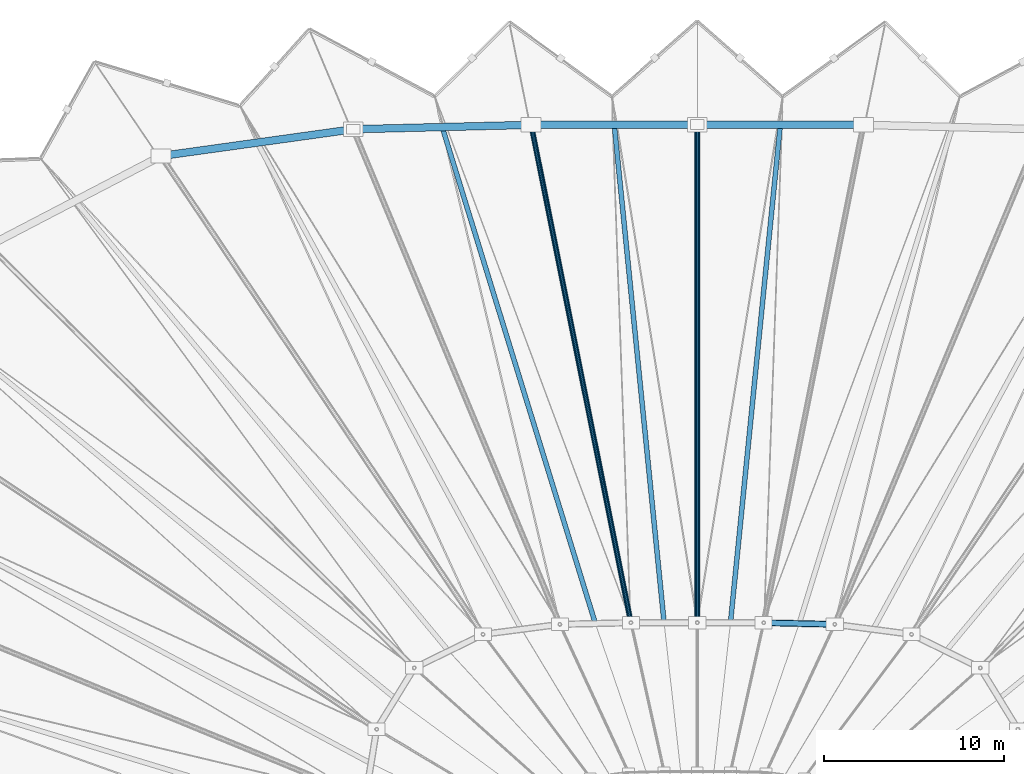
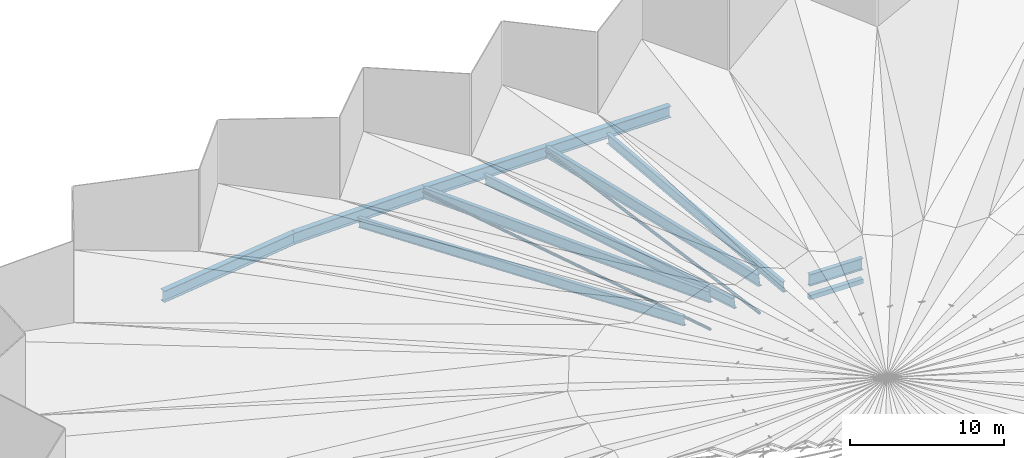
# One storey, part 26 of 41: 10 beams, 3 members.
"""IFC4 building model written with IfcOpenShell, lengths in metres."""

from ifc_helpers import new_model, si_unit, direction, frame, origin, origin_2d, place, context, subcontext, project, spatial, hollow_rectangle, hollow_circle, i_section, extrude, material, material_profile, profile_set, type_object, element, save


model = new_model("IFC4")

# Units and contexts
model_context = context("Model", 3, precision=1e-05, world=origin(), true_north=direction((0.0, 1.0)))
body_context = subcontext(model_context, "Body", "Model", "MODEL_VIEW")
ifc_project = project(units=[si_unit("LENGTHUNIT", "METRE"), si_unit("AREAUNIT", "SQUARE_METRE"), si_unit("VOLUMEUNIT", "CUBIC_METRE"), si_unit("PLANEANGLEUNIT", "RADIAN"), si_unit("MASSUNIT", "GRAM", prefix="KILO")], contexts=[model_context])

# Site, building, storey
site_placement = place(None, origin())
site = spatial("IfcSite", under=ifc_project, at=site_placement, CompositionType="ELEMENT")
building_placement = place(site_placement, origin())
building = spatial("IfcBuilding", under=site, at=building_placement, Name="Luwafu Chhajja Arena", CompositionType="ELEMENT")
storey_placement = place(building_placement, frame((0.0, 0.0, 29.699951171875)))
storey = spatial("IfcBuildingStorey", under=building, at=storey_placement, Name="RF", CompositionType="ELEMENT", Elevation=29.699951171875)

# Beams
ifc_material = material(Name="Steel S355", Category="steel")
ifc_material_profile_1 = material_profile(ifc_material, i_section(OverallWidth=0.29248046875, OverallDepth=0.8408203125, WebThickness=0.0146484375, FlangeThickness=0.021728515625, at=origin_2d()), Name="UB 838x292x194")
ifc_profile_set_1 = profile_set([ifc_material_profile_1], Name="Steel S355")
beam_type_1 = type_object("IfcBeamType", Name="Folded Roof Ridge Girder UB 838x292x194", PredefinedType="BEAM", material=ifc_profile_set_1)
beam_1_placement = place(storey_placement, frame((99.0, 93.60009765625, 0.179931640625), z_axis=(0.0, -0.973371077583, 0.229235131089), x_axis=(1.0, 0.0, 0.0)))
element("IfcBeam", 1, at=beam_1_placement, inside=storey, type_object=beam_type_1, Name="Roof truss ridge beam FR-09", PredefinedType="BEAM", context=body_context, shape_type="SweptSolid", body=[
    extrude(i_section(OverallWidth=0.29248046875, OverallDepth=0.8408203125, WebThickness=0.0146484375, FlangeThickness=0.021728515625, at=origin_2d()), origin(), (0.0, 0.0, 1.0), 28.355224609375),
])
beam_2_placement = place(storey_placement, frame((89.792724609375, 93.588134765625, 0.179931640625), z_axis=(0.191411716732, -0.955359513043, 0.225055005577), x_axis=(0.980513548882, 0.196451471, 0.0)))
element("IfcBeam", 2, at=beam_2_placement, inside=storey, type_object=beam_type_1, Name="Roof truss ridge beam FR-10", PredefinedType="BEAM", context=body_context, shape_type="SweptSolid", body=[
    extrude(i_section(OverallWidth=0.29248046875, OverallDepth=0.8408203125, WebThickness=0.0146484375, FlangeThickness=0.021728515625, at=origin_2d()), origin(), (0.0, 0.0, 1.0), 28.8818359375),
])
ifc_material_profile_2 = material_profile(ifc_material, i_section(OverallWidth=0.2666015625, OverallDepth=0.76220703125, WebThickness=0.014404296875, FlangeThickness=0.021484375, at=origin_2d()), Name="UB 762x267x173")
ifc_profile_set_2 = profile_set([ifc_material_profile_2], Name="Steel S355")
beam_type_2 = type_object("IfcBeamType", Name="Folded Roof Valley Girder UB 762x267x173", PredefinedType="BEAM", material=ifc_profile_set_2)
for number, where, z_axis, x_axis, name in (
    (3, (103.603515625, 93.593994140625, -0.3798828125), (-0.097484460331, -0.973243109793, 0.208073614941), (0.995020965821, -0.099665829529, 0.0), "Roof truss valley beam FV-08"),
    (4, (94.396484375, 93.593994140625, -0.3798828125), (0.097484460331, -0.973243109793, 0.208073614941), (0.995020965821, 0.099665829529, 0.0), "Roof truss valley beam FV-09"),
):
    element("IfcBeam", number, at=place(storey_placement, frame(where, z_axis=z_axis, x_axis=x_axis)), inside=storey, type_object=beam_type_2, Name=name, PredefinedType="BEAM", context=body_context, shape_type="SweptSolid", body=[
        extrude(i_section(OverallWidth=0.2666015625, OverallDepth=0.76220703125, WebThickness=0.014404296875, FlangeThickness=0.021484375, at=origin_2d()), origin(), (0.0, 0.0, 1.0), 28.35498046875),
    ])
beam_3_placement = place(storey_placement, frame((84.86279296875, 93.46630859375, -0.3798828125), z_axis=(0.288785431245, -0.936116966661, 0.200718707224), x_axis=(0.955563723311, 0.294784617463, 0.0)))
element("IfcBeam", 5, at=beam_3_placement, inside=storey, type_object=beam_type_2, Name="Roof truss valley beam FV-10", PredefinedType="BEAM", context=body_context, shape_type="SweptSolid", body=[
    extrude(i_section(OverallWidth=0.2666015625, OverallDepth=0.76220703125, WebThickness=0.014404296875, FlangeThickness=0.021484375, at=origin_2d()), origin(), (0.0, 0.0, 1.0), 29.393798828125),
])
ifc_material_profile_3 = material_profile(ifc_material, i_section(OverallWidth=0.305419921875, OverallDepth=0.91845703125, WebThickness=0.017333984375, FlangeThickness=0.02783203125, at=origin_2d()), Name="UB 914x305x253")
ifc_profile_set_3 = profile_set([ifc_material_profile_3], Name="Steel S355")
beam_type_3 = type_object("IfcBeamType", Name="Inner Tension Ring Girder UB 914x305x253", PredefinedType="BEAM", material=ifc_profile_set_3)
beam_4_placement = place(storey_placement, frame((106.61865234375, 65.904541015625, 5.449951171875), z_axis=(-0.999732965063, 0.023108408996, 0.0), x_axis=(-0.023108408996, -0.999732965063, 0.0)))
element("IfcBeam", 6, at=beam_4_placement, inside=storey, type_object=beam_type_3, Name="Roof Inner Tension Ring Beam IR-07", PredefinedType="BEAM", context=body_context, shape_type="SweptSolid", body=[
    extrude(i_section(OverallWidth=0.305419921875, OverallDepth=0.91845703125, WebThickness=0.017333984375, FlangeThickness=0.02783203125, at=origin_2d()), origin(), (0.0, 0.0, 1.0), 3.940673828125),
])
ifc_material_profile_4 = material_profile(ifc_material, i_section(OverallWidth=0.41845703125, OverallDepth=0.911865234375, WebThickness=0.019287109375, FlangeThickness=0.031982421875, at=origin_2d()), Name="UB 914x419x343")
ifc_profile_set_4 = profile_set([ifc_material_profile_4], Name="Steel S355")
beam_type_4 = type_object("IfcBeamType", Name="Outer Compression Ring Girder UB 914x419x343", PredefinedType="BEAM", material=ifc_profile_set_4)
for number, where, z_axis, x_axis, name in (
    (7, (108.207275390625, 93.588134765625, 0.179931640625), (-0.999999155928, 0.001299285621, 0.0), (-0.001299285621, -0.999999155928, 0.0), "Roof Outer Compression Ring Beam OR-08"),
    (8, (99.0, 93.60009765625, 0.179931640625), (-0.999999155928, -0.001299285621, 0.0), (0.001299285621, -0.999999155928, 0.0), "Roof Outer Compression Ring Beam OR-09"),
):
    element("IfcBeam", number, at=place(storey_placement, frame(where, z_axis=z_axis, x_axis=x_axis)), inside=storey, type_object=beam_type_4, Name=name, PredefinedType="BEAM", context=body_context, shape_type="SweptSolid", body=[
        extrude(i_section(OverallWidth=0.41845703125, OverallDepth=0.911865234375, WebThickness=0.019287109375, FlangeThickness=0.031982421875, at=origin_2d()), origin(), (0.0, 0.0, 1.0), 9.207275390625),
    ])
beam_5_placement = place(storey_placement, frame((89.792724609375, 93.588134765625, 0.179931640625), z_axis=(-0.999695420837, -0.024679253567, 0.0), x_axis=(0.024679253567, -0.999695420837, 0.0)))
element("IfcBeam", 9, at=beam_5_placement, inside=storey, type_object=beam_type_4, Name="Roof Outer Compression Ring Beam OR-10", PredefinedType="BEAM", context=body_context, shape_type="SweptSolid", body=[
    extrude(i_section(OverallWidth=0.41845703125, OverallDepth=0.911865234375, WebThickness=0.019287109375, FlangeThickness=0.031982421875, at=origin_2d()), origin(), (0.0, 0.0, 1.0), 9.86279296875),
])
beam_6_placement = place(storey_placement, frame((79.932861328125, 93.3447265625, 0.179931640625), z_axis=(-0.990458730054, -0.137809666058, 0.0), x_axis=(0.137809666058, -0.990458730054, 0.0)))
element("IfcBeam", 10, at=beam_6_placement, inside=storey, type_object=beam_type_4, Name="Roof Outer Compression Ring Beam OR-11", PredefinedType="BEAM", context=body_context, shape_type="SweptSolid", body=[
    extrude(i_section(OverallWidth=0.41845703125, OverallDepth=0.911865234375, WebThickness=0.019287109375, FlangeThickness=0.031982421875, at=origin_2d()), origin(), (0.0, 0.0, 1.0), 10.75341796875),
])

# Members
ifc_material_profile_5 = material_profile(ifc_material, hollow_rectangle(XDim=0.35009765625, YDim=0.35009765625, WallThickness=0.01611328125, at=origin_2d()), Name="SHS 350x350x16")
ifc_profile_set_5 = profile_set([ifc_material_profile_5], Name="Steel S355")
member_type_1 = type_object("IfcMemberType", Name="Ring Stabilizing Truss Chord SHS 350", PredefinedType="CHORD", material=ifc_profile_set_5)
member_1_placement = place(storey_placement, frame((106.61865234375, 65.904541015625, 4.10009765625), z_axis=(-0.999732965063, 0.023108408996, 0.0), x_axis=(-0.023108408996, -0.999732965063, 0.0)))
element("IfcMember", 11, at=member_1_placement, inside=storey, type_object=member_type_1, Name="Roof Inner Stabilizing Ring Chord IRC-07", PredefinedType="CHORD", context=body_context, shape_type="SweptSolid", body=[
    extrude(hollow_rectangle(XDim=0.35009765625, YDim=0.35009765625, WallThickness=0.01611328125, at=origin_2d()), origin(), (0.0, 0.0, 1.0), 3.940673828125),
])
ifc_material_profile_6 = material_profile(ifc_material, hollow_circle(Radius=0.109619140625, WallThickness=0.010009765625, at=origin_2d()), Name="CHS 219.1x10")
ifc_profile_set_6 = profile_set([ifc_material_profile_6], Name="Steel S355")
member_type_2 = type_object("IfcMemberType", Name="Roof Plan Wind Plan Brace CHS 219", PredefinedType="BRACE", material=ifc_profile_set_6)
member_2_placement = place(storey_placement, frame((99.0, 93.60009765625, 0.179931640625), z_axis=(0.0, -0.990063197735, 0.140623129288), x_axis=(1.0, 0.0, 0.0)))
element("IfcMember", 12, at=member_2_placement, inside=storey, type_object=member_type_2, Name="Roof truss diagonal web RW-09", PredefinedType="BRACE", context=body_context, shape_type="SweptSolid", body=[
    extrude(hollow_circle(Radius=0.109619140625, WallThickness=0.010009765625, at=origin_2d()), origin(), (0.0, 0.0, 1.0), 27.877197265625),
])
member_3_placement = place(storey_placement, frame((89.792724609375, 93.588134765625, 0.179931640625), z_axis=(0.194572617053, -0.971135956843, 0.13797264229), x_axis=(0.980513548882, 0.196451471, 0.0)))
element("IfcMember", 13, at=member_3_placement, inside=storey, type_object=member_type_2, Name="Roof truss diagonal web RW-10", PredefinedType="BRACE", context=body_context, shape_type="SweptSolid", body=[
    extrude(hollow_circle(Radius=0.109619140625, WallThickness=0.010009765625, at=origin_2d()), origin(), (0.0, 0.0, 1.0), 28.41259765625),
])

save(model, "model.ifc")
